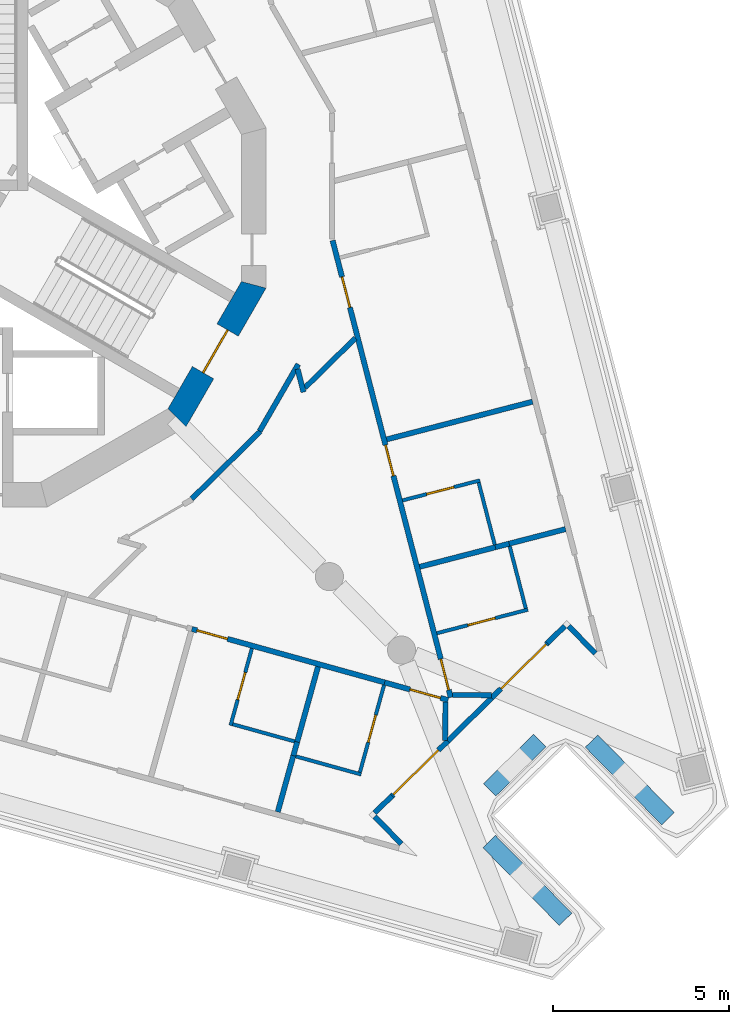
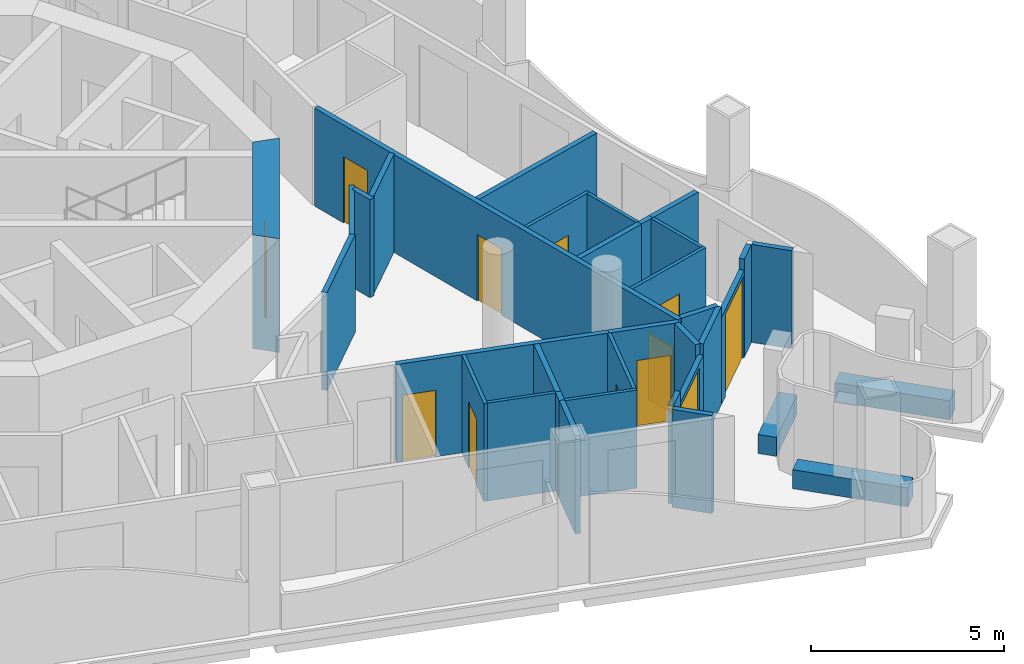
# One storey, part 6 of 15: 35 walls, 12 doors, 12 openings.
"""IFC4 building model written with IfcOpenShell, lengths in metres."""

from ifc_helpers import new_model, si_unit, direction, frame, frame_2d, origin, place, context, subcontext, project, spatial, polyline, rectangle, outline, extrude, material, layer, layer_set, type_object, element, fill, save


model = new_model("IFC4")

# Units and contexts
model_context = context("Model", 3, precision=1e-05, world=origin(), true_north=direction((0.0, 1.0)))
body_context = subcontext(model_context, "Body", "Model", "MODEL_VIEW")
ifc_project = project(units=[si_unit("LENGTHUNIT", "METRE"), si_unit("AREAUNIT", "SQUARE_METRE"), si_unit("VOLUMEUNIT", "CUBIC_METRE"), si_unit("PLANEANGLEUNIT", "RADIAN"), si_unit("MASSUNIT", "GRAM", prefix="KILO")], contexts=[model_context])

# Site, building, storey
site_placement = place(None, origin())
site = spatial("IfcSite", under=ifc_project, at=site_placement, CompositionType="ELEMENT")
building_placement = place(site_placement, origin())
building = spatial("IfcBuilding", under=site, at=building_placement, Name="Trine Commons Tower", CompositionType="ELEMENT")
storey_placement = place(building_placement, frame((0.0, 0.0, 263.699951171875)))
storey = spatial("IfcBuildingStorey", under=building, at=storey_placement, Name="L69", CompositionType="ELEMENT", Elevation=263.699951171875)

# Walls
ifc_material_1 = material(Name="Aluminium-framed insulated wall panel", Category="aluminium")
ifc_layer_1 = layer(ifc_material_1, 0.14990234375)
ifc_layer_set_1 = layer_set([ifc_layer_1], Name="Aluminium-framed insulated wall panel")
wall_type_1 = type_object("IfcWallType", Name="Glazed frame wall 150, EI 60", PredefinedType="SOLIDWALL", material=ifc_layer_set_1)
wall_1_placement = place(storey_placement, frame((97.966796875, 49.731201171875, 0.0), z_axis=(0.0, 0.0, 1.0), x_axis=(-0.700999978355, 0.71316129336, 0.0)))
element("IfcWall", 1, at=wall_1_placement, inside=storey, type_object=wall_type_1, Name="Glazed frame wall R6", PredefinedType="SOLIDWALL", context=body_context, shape_type="SweptSolid", body=[
    extrude(outline(polyline([(0.1494140625, 0.074951171875), (0.1494140625, -0.074951171875), (1.235107421875, -0.074951171875), (1.235107421875, 0.074951171875), (0.1494140625, 0.074951171875)])), origin(), (0.0, 0.0, 1.0), 3.10009765625),
])
wall_2_placement = place(storey_placement, frame((97.073486328125, 50.690185546875, 0.0), z_axis=(0.0, 0.0, 1.0), x_axis=(-0.713183853176, -0.700977026421, 0.0)))
element("IfcWall", 2, at=wall_2_placement, inside=storey, type_object=wall_type_1, Name="Glazed frame wall P2.1", PredefinedType="SOLIDWALL", context=body_context, shape_type="SweptSolid", body=[
    extrude(outline(polyline([(0.110107421875, -0.074951171875), (0.800048828125, -0.074951171875), (0.800048828125, 0.074951171875), (0.110107421875, 0.074951171875), (0.110107421875, -0.074951171875)])), origin(), (0.0, 0.0, 1.0), 3.10009765625),
])

# Wall, opening, door
wall_3_placement = place(storey_placement, frame((96.5029296875, 50.12939453125, 0.0), z_axis=(0.0, 0.0, 1.0), x_axis=(-0.713289197044, -0.70086983198, 0.0)))
wall_3 = element("IfcWall", 3, at=wall_3_placement, inside=storey, type_object=wall_type_1, Name="Glazed frame wall P2.2", PredefinedType="SOLIDWALL", context=body_context, shape_type="SweptSolid", body=[
    extrude(outline(polyline([(0.0, -0.074951171875), (2.221435546875, -0.074951171875), (2.221435546875, 0.074951171875), (0.0, 0.074951171875), (0.0, -0.074951171875)])), origin(), (0.0, 0.0, 1.0), 2.75),
])
opening_1_placement = place(wall_3_placement, frame((0.050048828125, 0.0, 0.0)))
opening_1 = element("IfcOpeningElement", 4, at=opening_1_placement, cuts=wall_3, Name="Opening BD-7P2-01", PredefinedType="OPENING", context=body_context, shape_type="SweptSolid", body=[
    extrude(rectangle(XDim=1.800048828125, YDim=2.60009765625, at=frame_2d((0.89990234375, 1.300048828125))), frame((0.0, 0.0849609375, 0.0), z_axis=(0.0, -1.0, 0.0), x_axis=(1.0, 0.0, 0.0)), (0.0, 0.0, 1.0), 0.169921875),
])
ifc_material_2 = material(Name="Anodised aluminium frame with double glazing", Category="aluminium")
door_type_1 = type_object("IfcDoorType", Name="Sliding loggia door 1800x2600", OperationType="SLIDING_TO_LEFT", PredefinedType="DOOR", material=ifc_material_2)
door_1_placement = place(opening_1_placement, origin())
door_1 = element("IfcDoor", 5, at=door_1_placement, inside=storey, type_object=door_type_1, Name="Loggia door P2 1", OperationType="SLIDING_TO_LEFT", OverallHeight=2.60009765625, OverallWidth=1.800048828125, PredefinedType="DOOR", context=body_context, shape_type="SweptSolid", body=[
    extrude(rectangle(XDim=1.800048828125, YDim=2.60009765625, at=frame_2d((0.89990234375, 1.300048828125))), frame((0.0, 0.02490234375, 0.0), z_axis=(0.0, -1.0, 0.0), x_axis=(1.0, 0.0, 0.0)), (0.0, 0.0, 1.0), 0.050048828125),
])
fill(opening_1, door_1)

# Wall
wall_4_placement = place(storey_placement, frame((94.91845703125, 48.572509765625, 0.0), z_axis=(0.0, 0.0, 1.0), x_axis=(-0.713193839807, -0.700966865737, 0.0)))
element("IfcWall", 6, at=wall_4_placement, inside=storey, type_object=wall_type_1, Name="Glazed frame wall P2.3", PredefinedType="SOLIDWALL", context=body_context, shape_type="SweptSolid", body=[
    extrude(outline(polyline([(0.0, -0.074951171875), (1.757080078125, -0.074951171875), (1.757080078125, 0.074951171875), (0.0, 0.074951171875), (0.0, -0.074951171875)])), origin(), (0.0, 0.0, 1.0), 3.10009765625),
])

# Wall, opening, door
wall_5_placement = place(storey_placement, frame((93.665283203125, 47.3408203125, 0.0), z_axis=(0.0, 0.0, 1.0), x_axis=(-0.713234254618, -0.700925743599, 0.0)))
wall_5 = element("IfcWall", 7, at=wall_5_placement, inside=storey, type_object=wall_type_1, Name="Glazed frame wall P2.4", PredefinedType="SOLIDWALL", context=body_context, shape_type="SweptSolid", body=[
    extrude(outline(polyline([(0.0, -0.074951171875), (2.221435546875, -0.074951171875), (2.221435546875, 0.074951171875), (0.0, 0.074951171875), (0.0, -0.074951171875)])), origin(), (0.0, 0.0, 1.0), 2.75),
])
opening_2_placement = place(wall_5_placement, frame((0.37158203125, 0.0, 0.0)))
opening_2 = element("IfcOpeningElement", 8, at=opening_2_placement, cuts=wall_5, Name="Opening BD-7P2-02", PredefinedType="OPENING", context=body_context, shape_type="SweptSolid", body=[
    extrude(rectangle(XDim=1.800048828125, YDim=2.60009765625, at=frame_2d((0.89990234375, 1.300048828125))), frame((0.0, 0.0849609375, 0.0), z_axis=(0.0, -1.0, 0.0), x_axis=(1.0, 0.0, 0.0)), (0.0, 0.0, 1.0), 0.169921875),
])
door_2_placement = place(opening_2_placement, origin())
door_2 = element("IfcDoor", 9, at=door_2_placement, inside=storey, type_object=door_type_1, Name="Loggia door P2 2", OperationType="SLIDING_TO_LEFT", OverallHeight=2.60009765625, OverallWidth=1.800048828125, PredefinedType="DOOR", context=body_context, shape_type="SweptSolid", body=[
    extrude(rectangle(XDim=1.800048828125, YDim=2.60009765625, at=frame_2d((0.89990234375, 1.300048828125))), frame((0.0, 0.02490234375, 0.0), z_axis=(0.0, -1.0, 0.0), x_axis=(1.0, 0.0, 0.0)), (0.0, 0.0, 1.0), 0.050048828125),
])
fill(opening_2, door_2)

# Walls
wall_6_placement = place(storey_placement, frame((92.080810546875, 45.78369140625, 0.0), z_axis=(0.0, 0.0, 1.0), x_axis=(-0.713333755576, -0.700824480991, 0.0)))
element("IfcWall", 10, at=wall_6_placement, inside=storey, type_object=wall_type_1, Name="Glazed frame wall P2.5", PredefinedType="SOLIDWALL", context=body_context, shape_type="SweptSolid", body=[
    extrude(outline(polyline([(0.68994140625, 0.074951171875), (0.0, 0.074951171875), (0.0, -0.074951171875), (0.68994140625, -0.074951171875), (0.68994140625, 0.074951171875)])), origin(), (0.0, 0.0, 1.0), 3.10009765625),
])
wall_7_placement = place(storey_placement, frame((91.510498046875, 45.2724609375, 0.0), z_axis=(0.0, 0.0, 1.0), x_axis=(0.700999978355, -0.71316129336, 0.0)))
element("IfcWall", 11, at=wall_7_placement, inside=storey, type_object=wall_type_1, Name="Glazed frame wall R8", PredefinedType="SOLIDWALL", context=body_context, shape_type="SweptSolid", body=[
    extrude(outline(polyline([(0.110107421875, 0.074951171875), (0.110107421875, -0.074951171875), (1.19580078125, -0.074951171875), (1.19580078125, 0.074951171875), (0.110107421875, 0.074951171875)])), origin(), (0.0, 0.0, 1.0), 3.10009765625),
])
ifc_material_3 = material(Name="Planter trough, precast concrete C40/50", Category="concrete")
ifc_layer_2 = layer(ifc_material_3, 0.5)
ifc_layer_set_2 = layer_set([ifc_layer_2], Name="Planter trough, precast concrete C40/50")
wall_type_2 = type_object("IfcWallType", Name="Planter trough 500x600", PredefinedType="PARAPET", material=ifc_layer_set_2)
wall_8_placement = place(storey_placement, frame((99.927734375, 45.1318359375, 0.0), z_axis=(0.0, 0.0, 1.0), x_axis=(-0.700897681372, 0.713261831481, 0.0)))
element("IfcWall", 12, at=wall_8_placement, inside=storey, type_object=wall_type_2, Name="Planter 7", PredefinedType="PARAPET", context=body_context, shape_type="SweptSolid", body=[
    extrude(rectangle(XDim=3.10009765625, YDim=0.5, at=frame_2d((1.550048828125, 0.0))), origin(), (0.0, 0.0, 1.0), 0.60009765625),
])
wall_9_placement = place(storey_placement, frame((96.2841796875, 47.355712890625, 0.0), z_axis=(0.0, 0.0, 1.0), x_axis=(-0.713305380591, -0.700853361282, 0.0)))
element("IfcWall", 13, at=wall_9_placement, inside=storey, type_object=wall_type_2, Name="Planter 8", PredefinedType="PARAPET", context=body_context, shape_type="SweptSolid", body=[
    extrude(rectangle(XDim=1.999755859375, YDim=0.5, at=frame_2d((1.0, 0.0))), origin(), (0.0, 0.0, 1.0), 0.60009765625),
])
wall_10_placement = place(storey_placement, frame((94.844970703125, 44.4833984375, 0.0), z_axis=(0.0, 0.0, 1.0), x_axis=(0.700857613291, -0.713301202784, 0.0)))
element("IfcWall", 14, at=wall_10_placement, inside=storey, type_object=wall_type_2, Name="Planter 9", PredefinedType="PARAPET", context=body_context, shape_type="SweptSolid", body=[
    extrude(rectangle(XDim=3.099853515625, YDim=0.5, at=frame_2d((1.5498046875, 0.0))), origin(), (0.0, 0.0, 1.0), 0.60009765625),
])

# Wall, opening, door
ifc_material_4 = material(Name="Concrete C50/60", Category="concrete")
ifc_layer_3 = layer(ifc_material_4, 0.699951171875)
ifc_layer_set_3 = layer_set([ifc_layer_3], Name="Concrete C50/60")
wall_type_3 = type_object("IfcWallType", Name="RC shear wall 700 mm, C50/60", PredefinedType="SHEAR", material=ifc_layer_set_3)
wall_11_placement = place(storey_placement, frame((85.91943359375, 56.452392578125, 0.0), z_axis=(0.0, 0.0, 1.0), x_axis=(0.499983800959, 0.866034756103, 0.0)))
wall_11 = element("IfcWall", 15, at=wall_11_placement, inside=storey, type_object=wall_type_3, Name="Core wall CWG-12 L69", PredefinedType="SHEAR", context=body_context, shape_type="SweptSolid", body=[
    extrude(outline(polyline([(0.0, -0.35009765625), (4.55517578125, -0.35009765625), (4.36767578125, 0.35009765625), (0.1875, 0.35009765625), (0.0, -0.35009765625)])), origin(), (0.0, 0.0, 1.0), 3.60009765625),
])
opening_3_placement = place(wall_11_placement, frame((1.577392578125, 0.0, 0.0)))
opening_3 = element("IfcOpeningElement", 16, at=opening_3_placement, cuts=wall_11, Name="Opening K15.03", PredefinedType="OPENING", context=body_context, shape_type="SweptSolid", body=[
    extrude(rectangle(XDim=1.39990234375, YDim=2.10009765625, at=frame_2d((0.699951171875, 1.050048828125))), frame((0.0, 0.35986328125, 0.0), z_axis=(0.0, -1.0, 0.0), x_axis=(1.0, 0.0, 0.0)), (0.0, 0.0, 1.0), 0.719970703125),
])
ifc_material_5 = material(Name="Steel door leaves, fire-rated", Category="steel")
door_type_2 = type_object("IfcDoorType", Name="Stair door, double leaf 1400 x 2100, FD90", OperationType="DOUBLE_DOOR_SINGLE_SWING", PredefinedType="DOOR", material=ifc_material_5)
door_3_placement = place(opening_3_placement, origin())
door_3 = element("IfcDoor", 17, at=door_3_placement, inside=storey, type_object=door_type_2, Name="Stair door to Exit stair ST3C L69", OperationType="DOUBLE_DOOR_SINGLE_SWING", OverallHeight=2.10009765625, OverallWidth=1.39990234375, PredefinedType="DOOR", context=body_context, shape_type="SweptSolid", body=[
    extrude(rectangle(XDim=1.39990234375, YDim=2.10009765625, at=frame_2d((0.699951171875, 1.050048828125))), frame((0.0, 0.02490234375, 0.0), z_axis=(0.0, -1.0, 0.0), x_axis=(1.0, 0.0, 0.0)), (0.0, 0.0, 1.0), 0.050048828125),
])
fill(opening_3, door_3)

# Wall
ifc_material_6 = material(Name="Gypsum plasterboard on steel stud", Category="steel")
ifc_layer_4 = layer(ifc_material_6, 0.14990234375)
ifc_layer_set_4 = layer_set([ifc_layer_4], Name="Gypsum plasterboard on steel stud")
wall_type_4 = type_object("IfcWallType", Name="Unit and corridor wall 150 mm, EI 60", PredefinedType="PARTITIONING", material=ifc_layer_set_4)
wall_12_placement = place(storey_placement, frame((86.384521484375, 54.2275390625, 0.0), z_axis=(0.0, 0.0, 1.0), x_axis=(0.713113779806, 0.701048312922, 0.0)))
element("IfcWall", 18, at=wall_12_placement, inside=storey, type_object=wall_type_4, Name="Partition 083", PredefinedType="PARTITIONING", context=body_context, shape_type="SweptSolid", body=[
    extrude(rectangle(XDim=2.731689453125, YDim=0.14990234375, at=frame_2d((1.36572265625, 0.0))), origin(), (0.0, 0.0, 1.0), 3.10009765625),
])

# Wall, opening, door
wall_13_placement = place(storey_placement, frame((86.39111328125, 50.529052734375, 0.0), z_axis=(0.0, 0.0, 1.0), x_axis=(0.963638337946, -0.267209943005, 0.0)))
wall_13 = element("IfcWall", 19, at=wall_13_placement, inside=storey, type_object=wall_type_4, Name="Partition 084", PredefinedType="PARTITIONING", context=body_context, shape_type="SweptSolid", body=[
    extrude(rectangle(XDim=5.74609375, YDim=0.14990234375, at=frame_2d((2.873046875, 0.0))), origin(), (0.0, 0.0, 1.0), 3.10009765625),
])
opening_4_placement = place(wall_13_placement, frame((0.14990234375, 0.0, 0.0)))
opening_4 = element("IfcOpeningElement", 20, at=opening_4_placement, cuts=wall_13, Name="Opening D-7C19", PredefinedType="OPENING", context=body_context, shape_type="SweptSolid", body=[
    extrude(rectangle(XDim=0.89990234375, YDim=2.10009765625, at=frame_2d((0.449951171875, 1.050048828125))), frame((0.0, 0.0849609375, 0.0), z_axis=(0.0, -1.0, 0.0), x_axis=(1.0, 0.0, 0.0)), (0.0, 0.0, 1.0), 0.169921875),
])
ifc_material_7 = material(Name="Timber fire door set", Category="wood")
door_type_3 = type_object("IfcDoorType", Name="Bedroom door 900 x 2100, FD30S", OperationType="NOTDEFINED", PredefinedType="DOOR", material=ifc_material_7)
door_4_placement = place(opening_4_placement, frame((0.89990234375, 0.0, 0.0), z_axis=(0.0, 0.0, 1.0), x_axis=(-1.0, 0.0, 0.0)))
door_4 = element("IfcDoor", 21, at=door_4_placement, inside=storey, type_object=door_type_3, Name="Door D-7C19", OperationType="SINGLE_SWING_RIGHT", OverallHeight=2.10009765625, OverallWidth=0.89990234375, PredefinedType="DOOR", context=body_context, shape_type="SweptSolid", body=[
    extrude(rectangle(XDim=0.89990234375, YDim=2.10009765625, at=frame_2d((0.449951171875, 1.050048828125))), frame((0.0, 0.02490234375, 0.0), z_axis=(0.0, -1.0, 0.0), x_axis=(1.0, 0.0, 0.0)), (0.0, 0.0, 1.0), 0.050048828125),
])
fill(opening_4, door_4)

# Walls
wall_14_placement = place(storey_placement, frame((88.31640625, 56.15478515625, 0.0), z_axis=(0.0, 0.0, 1.0), x_axis=(0.500129524705, 0.865950609745, 0.0)))
element("IfcWall", 22, at=wall_14_placement, inside=storey, type_object=wall_type_4, Name="Partition 093", PredefinedType="PARTITIONING", context=body_context, shape_type="SweptSolid", body=[
    extrude(rectangle(XDim=2.19775390625, YDim=0.14990234375, at=frame_2d((1.098876953125, 0.0))), origin(), (0.0, 0.0, 1.0), 3.10009765625),
])
wall_15_placement = place(storey_placement, frame((88.832763671875, 45.327392578125, 0.0), z_axis=(0.0, 0.0, 1.0), x_axis=(0.266961047932, 0.963707320138, 0.0)))
element("IfcWall", 23, at=wall_15_placement, inside=storey, type_object=wall_type_4, Name="Partition 097", PredefinedType="PARTITIONING", context=body_context, shape_type="SweptSolid", body=[
    extrude(rectangle(XDim=1.659912109375, YDim=0.14990234375, at=frame_2d((0.830078125, 0.0))), origin(), (0.0, 0.0, 1.0), 3.10009765625),
])
wall_16_placement = place(storey_placement, frame((89.27587890625, 46.927001953125, 0.0), z_axis=(0.0, 0.0, 1.0), x_axis=(0.267924588636, 0.963439886451, 0.0)))
element("IfcWall", 24, at=wall_16_placement, inside=storey, type_object=wall_type_4, Name="Partition 099", PredefinedType="PARTITIONING", context=body_context, shape_type="SweptSolid", body=[
    extrude(rectangle(XDim=0.403564453125, YDim=0.14990234375, at=frame_2d((0.20166015625, 0.0))), origin(), (0.0, 0.0, 1.0), 3.10009765625),
])
wall_17_placement = place(storey_placement, frame((89.396728515625, 57.92041015625, 0.0), z_axis=(0.0, 0.0, 1.0), x_axis=(0.249398389606, -0.968400972357, 0.0)))
element("IfcWall", 25, at=wall_17_placement, inside=storey, type_object=wall_type_4, Name="Partition 101", PredefinedType="PARTITIONING", context=body_context, shape_type="SweptSolid", body=[
    extrude(rectangle(XDim=0.677490234375, YDim=0.14990234375, at=frame_2d((0.3388671875, 0.0))), origin(), (0.0, 0.0, 1.0), 3.10009765625),
])
wall_18_placement = place(storey_placement, frame((89.36865234375, 47.259765625, 0.0), z_axis=(0.0, 0.0, 1.0), x_axis=(0.266876022504, 0.963730869388, 0.0)))
element("IfcWall", 26, at=wall_18_placement, inside=storey, type_object=wall_type_4, Name="Partition 102", PredefinedType="PARTITIONING", context=body_context, shape_type="SweptSolid", body=[
    extrude(rectangle(XDim=2.27978515625, YDim=0.14990234375, at=frame_2d((1.139892578125, 0.0))), origin(), (0.0, 0.0, 1.0), 3.10009765625),
])
wall_19_placement = place(storey_placement, frame((89.60546875, 57.3896484375, 0.0), z_axis=(0.0, 0.0, 1.0), x_axis=(0.713082264155, 0.701080369535, 0.0)))
element("IfcWall", 27, at=wall_19_placement, inside=storey, type_object=wall_type_4, Name="Partition 106", PredefinedType="PARTITIONING", context=body_context, shape_type="SweptSolid", body=[
    extrude(rectangle(XDim=2.013916015625, YDim=0.14990234375, at=frame_2d((1.0068359375, 0.0))), origin(), (0.0, 0.0, 1.0), 3.10009765625),
])

# Wall, openings, doors
wall_20_placement = place(storey_placement, frame((90.39208984375, 61.576904296875, 0.0), z_axis=(0.0, 0.0, 1.0), x_axis=(0.250222915492, -0.968188252646, 0.0)))
wall_20 = element("IfcWall", 28, at=wall_20_placement, inside=storey, type_object=wall_type_4, Name="Partition 109", PredefinedType="PARTITIONING", context=body_context, shape_type="SweptSolid", body=[
    extrude(rectangle(XDim=13.422607421875, YDim=0.14990234375, at=frame_2d((6.71142578125, 0.0))), origin(), (0.0, 0.0, 1.0), 3.10009765625),
])
opening_5_placement = place(wall_20_placement, frame((1.06884765625, 0.0, 0.0)))
opening_5 = element("IfcOpeningElement", 29, at=opening_5_placement, cuts=wall_20, Name="Opening D-7C15", PredefinedType="OPENING", context=body_context, shape_type="SweptSolid", body=[
    extrude(rectangle(XDim=0.89990234375, YDim=2.10009765625, at=frame_2d((0.449951171875, 1.050048828125))), frame((0.0, 0.0849609375, 0.0), z_axis=(0.0, -1.0, 0.0), x_axis=(1.0, 0.0, 0.0)), (0.0, 0.0, 1.0), 0.169921875),
])
opening_6_placement = place(wall_20_placement, frame((6.011962890625, 0.0, 0.0)))
opening_6 = element("IfcOpeningElement", 30, at=opening_6_placement, cuts=wall_20, Name="Opening D-7C16", PredefinedType="OPENING", context=body_context, shape_type="SweptSolid", body=[
    extrude(rectangle(XDim=0.89990234375, YDim=2.10009765625, at=frame_2d((0.449951171875, 1.050048828125))), frame((0.0, 0.0849609375, 0.0), z_axis=(0.0, -1.0, 0.0), x_axis=(1.0, 0.0, 0.0)), (0.0, 0.0, 1.0), 0.169921875),
])
opening_7_placement = place(wall_20_placement, frame((12.297607421875, 0.0, 0.0)))
opening_7 = element("IfcOpeningElement", 31, at=opening_7_placement, cuts=wall_20, Name="Opening D-7C17", PredefinedType="OPENING", context=body_context, shape_type="SweptSolid", body=[
    extrude(rectangle(XDim=0.89990234375, YDim=2.10009765625, at=frame_2d((0.449951171875, 1.050048828125))), frame((0.0, 0.0849609375, 0.0), z_axis=(0.0, -1.0, 0.0), x_axis=(1.0, 0.0, 0.0)), (0.0, 0.0, 1.0), 0.169921875),
])
door_5_placement = place(opening_5_placement, origin())
door_5 = element("IfcDoor", 32, at=door_5_placement, inside=storey, type_object=door_type_3, Name="Door D-7C15", OperationType="SINGLE_SWING_LEFT", OverallHeight=2.10009765625, OverallWidth=0.89990234375, PredefinedType="DOOR", context=body_context, shape_type="SweptSolid", body=[
    extrude(rectangle(XDim=0.89990234375, YDim=2.10009765625, at=frame_2d((0.449951171875, 1.050048828125))), frame((0.0, 0.02490234375, 0.0), z_axis=(0.0, -1.0, 0.0), x_axis=(1.0, 0.0, 0.0)), (0.0, 0.0, 1.0), 0.050048828125),
])
fill(opening_5, door_5)
door_6_placement = place(opening_6_placement, origin())
door_6 = element("IfcDoor", 33, at=door_6_placement, inside=storey, type_object=door_type_3, Name="Door D-7C16", OperationType="SINGLE_SWING_LEFT", OverallHeight=2.10009765625, OverallWidth=0.89990234375, PredefinedType="DOOR", context=body_context, shape_type="SweptSolid", body=[
    extrude(rectangle(XDim=0.89990234375, YDim=2.10009765625, at=frame_2d((0.449951171875, 1.050048828125))), frame((0.0, 0.02490234375, 0.0), z_axis=(0.0, -1.0, 0.0), x_axis=(1.0, 0.0, 0.0)), (0.0, 0.0, 1.0), 0.050048828125),
])
fill(opening_6, door_6)
door_7_placement = place(opening_7_placement, origin())
door_7 = element("IfcDoor", 34, at=door_7_placement, inside=storey, type_object=door_type_3, Name="Door D-7C17", OperationType="SINGLE_SWING_RIGHT", OverallHeight=2.10009765625, OverallWidth=0.89990234375, PredefinedType="DOOR", context=body_context, shape_type="SweptSolid", body=[
    extrude(rectangle(XDim=0.89990234375, YDim=2.10009765625, at=frame_2d((0.449951171875, 1.050048828125))), frame((0.0, 0.02490234375, 0.0), z_axis=(0.0, -1.0, 0.0), x_axis=(1.0, 0.0, 0.0)), (0.0, 0.0, 1.0), 0.050048828125),
])
fill(opening_7, door_7)

# Wall
wall_21_placement = place(storey_placement, frame((91.9296875, 55.919921875, 0.0), z_axis=(0.0, 0.0, 1.0), x_axis=(0.968143339783, 0.250396632634, 0.0)))
element("IfcWall", 35, at=wall_21_placement, inside=storey, type_object=wall_type_4, Name="Partition 114", PredefinedType="PARTITIONING", context=body_context, shape_type="SweptSolid", body=[
    extrude(rectangle(XDim=4.28515625, YDim=0.14990234375, at=frame_2d((2.142578125, 0.0))), origin(), (0.0, 0.0, 1.0), 3.10009765625),
])

# Wall, opening, door
wall_22_placement = place(storey_placement, frame((91.8720703125, 49.009033203125, 0.0), z_axis=(0.0, 0.0, 1.0), x_axis=(0.963678404511, -0.26706540899, 0.0)))
wall_22 = element("IfcWall", 36, at=wall_22_placement, inside=storey, type_object=wall_type_4, Name="Partition 115", PredefinedType="PARTITIONING", context=body_context, shape_type="SweptSolid", body=[
    extrude(rectangle(XDim=1.872314453125, YDim=0.14990234375, at=frame_2d((0.93603515625, 0.0))), origin(), (0.0, 0.0, 1.0), 3.10009765625),
])
opening_8_placement = place(wall_22_placement, frame((0.747314453125, 0.0, 0.0)))
opening_8 = element("IfcOpeningElement", 37, at=opening_8_placement, cuts=wall_22, Name="Opening D-7C18", PredefinedType="OPENING", context=body_context, shape_type="SweptSolid", body=[
    extrude(rectangle(XDim=0.89990234375, YDim=2.10009765625, at=frame_2d((0.449951171875, 1.050048828125))), frame((0.0, 0.0849609375, 0.0), z_axis=(0.0, -1.0, 0.0), x_axis=(1.0, 0.0, 0.0)), (0.0, 0.0, 1.0), 0.169921875),
])
door_8_placement = place(opening_8_placement, frame((0.89990234375, 0.0, 0.0), z_axis=(0.0, 0.0, 1.0), x_axis=(-1.0, 0.0, 0.0)))
door_8 = element("IfcDoor", 38, at=door_8_placement, inside=storey, type_object=door_type_3, Name="Door D-7C18", OperationType="SINGLE_SWING_LEFT", OverallHeight=2.10009765625, OverallWidth=0.89990234375, PredefinedType="DOOR", context=body_context, shape_type="SweptSolid", body=[
    extrude(rectangle(XDim=0.89990234375, YDim=2.10009765625, at=frame_2d((0.449951171875, 1.050048828125))), frame((0.0, 0.02490234375, 0.0), z_axis=(0.0, -1.0, 0.0), x_axis=(1.0, 0.0, 0.0)), (0.0, 0.0, 1.0), 0.050048828125),
])
fill(opening_8, door_8)

# Walls
wall_23_placement = place(storey_placement, frame((92.86767578125, 52.296875, 0.0), z_axis=(0.0, 0.0, 1.0), x_axis=(0.968121216345, 0.250482155975, 0.0)))
element("IfcWall", 39, at=wall_23_placement, inside=storey, type_object=wall_type_4, Name="Partition 119", PredefinedType="PARTITIONING", context=body_context, shape_type="SweptSolid", body=[
    extrude(rectangle(XDim=2.22412109375, YDim=0.14990234375, at=frame_2d((1.112060546875, 0.0))), origin(), (0.0, 0.0, 1.0), 3.10009765625),
])
for number, where, z_axis, x_axis, name in (
    (40, (93.589599609375, 47.35595703125, 0.0), (0.0, 0.0, 1.0), (0.012226742726, 0.999925250587, 0.0), "Partition 121"),
    (41, (93.806884765625, 48.653564453125, 0.0), (0.0, 0.0, 1.0), (0.999983294214, -0.005780250256, 0.0), "Partition 122"),
):
    element("IfcWall", number, at=place(storey_placement, frame(where, z_axis=z_axis, x_axis=x_axis)), inside=storey, type_object=wall_type_4, Name=name, PredefinedType="PARTITIONING", context=body_context, shape_type="SweptSolid", body=[
        extrude(rectangle(XDim=1.09814453125, YDim=0.14990234375, at=frame_2d((0.549072265625, 0.0))), origin(), (0.0, 0.0, 1.0), 3.10009765625),
    ])
wall_24_placement = place(storey_placement, frame((95.02099609375, 52.85400390625, 0.0), z_axis=(0.0, 0.0, 1.0), x_axis=(0.968343173742, 0.249622711039, 0.0)))
element("IfcWall", 42, at=wall_24_placement, inside=storey, type_object=wall_type_4, Name="Partition 124", PredefinedType="PARTITIONING", context=body_context, shape_type="SweptSolid", body=[
    extrude(rectangle(XDim=0.405029296875, YDim=0.14990234375, at=frame_2d((0.20263671875, 0.0))), origin(), (0.0, 0.0, 1.0), 3.10009765625),
])
wall_25_placement = place(storey_placement, frame((95.405029296875, 52.952880859375, 0.0), z_axis=(0.0, 0.0, 1.0), x_axis=(0.968213134731, 0.250126619403, 0.0)))
element("IfcWall", 43, at=wall_25_placement, inside=storey, type_object=wall_type_4, Name="Partition 125", PredefinedType="PARTITIONING", context=body_context, shape_type="SweptSolid", body=[
    extrude(rectangle(XDim=1.663330078125, YDim=0.14990234375, at=frame_2d((0.83154296875, 0.0))), origin(), (0.0, 0.0, 1.0), 3.10009765625),
])

# Wall, opening, door
ifc_layer_5 = layer(ifc_material_6, 0.10009765625)
ifc_layer_set_5 = layer_set([ifc_layer_5], Name="Gypsum plasterboard on steel stud")
wall_type_5 = type_object("IfcWallType", Name="Unit partition 100 mm, no rating", PredefinedType="PARTITIONING", material=ifc_layer_set_5)
wall_26_placement = place(storey_placement, frame((87.490478515625, 47.785888671875, 0.0), z_axis=(0.0, 0.0, 1.0), x_axis=(0.267056991967, 0.963680737092, 0.0)))
wall_26 = element("IfcWall", 44, at=wall_26_placement, inside=storey, type_object=wall_type_5, Name="Partition 087", PredefinedType="PARTITIONING", context=body_context, shape_type="SweptSolid", body=[
    extrude(rectangle(XDim=2.2744140625, YDim=0.10009765625, at=frame_2d((1.13720703125, 0.0))), origin(), (0.0, 0.0, 1.0), 3.10009765625),
])
opening_9_placement = place(wall_26_placement, frame((0.76220703125, 0.0, 0.0)))
opening_9 = element("IfcOpeningElement", 45, at=opening_9_placement, cuts=wall_26, Name="Opening D-7C40", PredefinedType="OPENING", context=body_context, shape_type="SweptSolid", body=[
    extrude(rectangle(XDim=0.800048828125, YDim=2.10009765625, at=frame_2d((0.39990234375, 1.050048828125))), frame((0.0, 0.06005859375, 0.0), z_axis=(0.0, -1.0, 0.0), x_axis=(1.0, 0.0, 0.0)), (0.0, 0.0, 1.0), 0.1201171875),
])
ifc_material_8 = material(Name="Painted timber", Category="wood")
door_type_4 = type_object("IfcDoorType", Name="Internal door 800 x 2100, NOT RATED", OperationType="NOTDEFINED", PredefinedType="DOOR", material=ifc_material_8)
door_9_placement = place(opening_9_placement, origin())
door_9 = element("IfcDoor", 46, at=door_9_placement, inside=storey, type_object=door_type_4, Name="Door D-7C40", OperationType="SINGLE_SWING_RIGHT", OverallHeight=2.10009765625, OverallWidth=0.800048828125, PredefinedType="DOOR", context=body_context, shape_type="SweptSolid", body=[
    extrude(rectangle(XDim=0.800048828125, YDim=2.10009765625, at=frame_2d((0.39990234375, 1.050048828125))), frame((0.0, 0.02490234375, 0.0), z_axis=(0.0, -1.0, 0.0), x_axis=(1.0, 0.0, 0.0)), (0.0, 0.0, 1.0), 0.050048828125),
])
fill(opening_9, door_9)

# Walls
wall_27_placement = place(storey_placement, frame((87.55224609375, 47.820556640625, 0.0), z_axis=(0.0, 0.0, 1.0), x_axis=(0.963512160179, -0.267664560949, 0.0)))
element("IfcWall", 47, at=wall_27_placement, inside=storey, type_object=wall_type_5, Name="Partition 088", PredefinedType="PARTITIONING", context=body_context, shape_type="SweptSolid", body=[
    extrude(rectangle(XDim=1.8251953125, YDim=0.10009765625, at=frame_2d((0.91259765625, 0.0))), origin(), (0.0, 0.0, 1.0), 3.10009765625),
])
wall_28_placement = place(storey_placement, frame((89.348388671875, 46.906982421875, 0.0), z_axis=(0.0, 0.0, 1.0), x_axis=(0.963625049046, -0.267257862095, 0.0)))
element("IfcWall", 48, at=wall_28_placement, inside=storey, type_object=wall_type_5, Name="Partition 100", PredefinedType="PARTITIONING", context=body_context, shape_type="SweptSolid", body=[
    extrude(rectangle(XDim=1.9248046875, YDim=0.10009765625, at=frame_2d((0.96240234375, 0.0))), origin(), (0.0, 0.0, 1.0), 3.10009765625),
])

# Wall, opening, door
wall_29_placement = place(storey_placement, frame((91.16845703125, 46.4541015625, 0.0), z_axis=(0.0, 0.0, 1.0), x_axis=(0.266973908606, 0.96370375745, 0.0)))
wall_29 = element("IfcWall", 49, at=wall_29_placement, inside=storey, type_object=wall_type_5, Name="Partition 112", PredefinedType="PARTITIONING", context=body_context, shape_type="SweptSolid", body=[
    extrude(rectangle(XDim=2.5751953125, YDim=0.10009765625, at=frame_2d((1.28759765625, 0.0))), origin(), (0.0, 0.0, 1.0), 3.10009765625),
])
opening_10_placement = place(wall_29_placement, frame((0.8876953125, 0.0, 0.0)))
opening_10 = element("IfcOpeningElement", 50, at=opening_10_placement, cuts=wall_29, Name="Opening D-7C39", PredefinedType="OPENING", context=body_context, shape_type="SweptSolid", body=[
    extrude(rectangle(XDim=0.800048828125, YDim=2.10009765625, at=frame_2d((0.39990234375, 1.050048828125))), frame((0.0, 0.06005859375, 0.0), z_axis=(0.0, -1.0, 0.0), x_axis=(1.0, 0.0, 0.0)), (0.0, 0.0, 1.0), 0.1201171875),
])
door_10_placement = place(opening_10_placement, frame((0.800048828125, 0.0, 0.0), z_axis=(0.0, 0.0, 1.0), x_axis=(-1.0, 0.0, 0.0)))
door_10 = element("IfcDoor", 51, at=door_10_placement, inside=storey, type_object=door_type_4, Name="Door D-7C39", OperationType="SINGLE_SWING_LEFT", OverallHeight=2.10009765625, OverallWidth=0.800048828125, PredefinedType="DOOR", context=body_context, shape_type="SweptSolid", body=[
    extrude(rectangle(XDim=0.800048828125, YDim=2.10009765625, at=frame_2d((0.39990234375, 1.050048828125))), frame((0.0, 0.02490234375, 0.0), z_axis=(0.0, -1.0, 0.0), x_axis=(1.0, 0.0, 0.0)), (0.0, 0.0, 1.0), 0.050048828125),
])
fill(opening_10, door_10)

wall_30_placement = place(storey_placement, frame((92.378662109375, 54.184814453125, 0.0), z_axis=(0.0, 0.0, 1.0), x_axis=(0.968154087165, 0.250355074856, 0.0)))
wall_30 = element("IfcWall", 52, at=wall_30_placement, inside=storey, type_object=wall_type_5, Name="Partition 116", PredefinedType="PARTITIONING", context=body_context, shape_type="SweptSolid", body=[
    extrude(rectangle(XDim=2.275146484375, YDim=0.10009765625, at=frame_2d((1.1376953125, 0.0))), origin(), (0.0, 0.0, 1.0), 3.10009765625),
])
opening_11_placement = place(wall_30_placement, frame((0.712646484375, 0.0, 0.0)))
opening_11 = element("IfcOpeningElement", 53, at=opening_11_placement, cuts=wall_30, Name="Opening D-7C37", PredefinedType="OPENING", context=body_context, shape_type="SweptSolid", body=[
    extrude(rectangle(XDim=0.800048828125, YDim=2.10009765625, at=frame_2d((0.39990234375, 1.050048828125))), frame((0.0, 0.06005859375, 0.0), z_axis=(0.0, -1.0, 0.0), x_axis=(1.0, 0.0, 0.0)), (0.0, 0.0, 1.0), 0.1201171875),
])
door_11_placement = place(opening_11_placement, origin())
door_11 = element("IfcDoor", 54, at=door_11_placement, inside=storey, type_object=door_type_4, Name="Door D-7C37", OperationType="SINGLE_SWING_LEFT", OverallHeight=2.10009765625, OverallWidth=0.800048828125, PredefinedType="DOOR", context=body_context, shape_type="SweptSolid", body=[
    extrude(rectangle(XDim=0.800048828125, YDim=2.10009765625, at=frame_2d((0.39990234375, 1.050048828125))), frame((0.0, 0.02490234375, 0.0), z_axis=(0.0, -1.0, 0.0), x_axis=(1.0, 0.0, 0.0)), (0.0, 0.0, 1.0), 0.050048828125),
])
fill(opening_11, door_11)

wall_31_placement = place(storey_placement, frame((93.355712890625, 50.40869140625, 0.0), z_axis=(0.0, 0.0, 1.0), x_axis=(0.968128980119, 0.250452146832, 0.0)))
wall_31 = element("IfcWall", 55, at=wall_31_placement, inside=storey, type_object=wall_type_5, Name="Partition 120", PredefinedType="PARTITIONING", context=body_context, shape_type="SweptSolid", body=[
    extrude(rectangle(XDim=2.6748046875, YDim=0.10009765625, at=frame_2d((1.33740234375, 0.0))), origin(), (0.0, 0.0, 1.0), 3.10009765625),
])
opening_12_placement = place(wall_31_placement, frame((0.91259765625, 0.0, 0.0)))
opening_12 = element("IfcOpeningElement", 56, at=opening_12_placement, cuts=wall_31, Name="Opening D-7C38", PredefinedType="OPENING", context=body_context, shape_type="SweptSolid", body=[
    extrude(rectangle(XDim=0.800048828125, YDim=2.10009765625, at=frame_2d((0.39990234375, 1.050048828125))), frame((0.0, 0.06005859375, 0.0), z_axis=(0.0, -1.0, 0.0), x_axis=(1.0, 0.0, 0.0)), (0.0, 0.0, 1.0), 0.1201171875),
])
door_12_placement = place(opening_12_placement, frame((0.800048828125, 0.0, 0.0), z_axis=(0.0, 0.0, 1.0), x_axis=(-1.0, 0.0, 0.0)))
door_12 = element("IfcDoor", 57, at=door_12_placement, inside=storey, type_object=door_type_4, Name="Door D-7C38", OperationType="SINGLE_SWING_RIGHT", OverallHeight=2.10009765625, OverallWidth=0.800048828125, PredefinedType="DOOR", context=body_context, shape_type="SweptSolid", body=[
    extrude(rectangle(XDim=0.800048828125, YDim=2.10009765625, at=frame_2d((0.39990234375, 1.050048828125))), frame((0.0, 0.02490234375, 0.0), z_axis=(0.0, -1.0, 0.0), x_axis=(1.0, 0.0, 0.0)), (0.0, 0.0, 1.0), 0.050048828125),
])
fill(opening_12, door_12)

# Walls
wall_32_placement = place(storey_placement, frame((94.54541015625, 54.693603515625, 0.0), z_axis=(0.0, 0.0, 1.0), x_axis=(0.250270413218, -0.968175975878, 0.0)))
element("IfcWall", 58, at=wall_32_placement, inside=storey, type_object=wall_type_5, Name="Partition 123", PredefinedType="PARTITIONING", context=body_context, shape_type="SweptSolid", body=[
    extrude(rectangle(XDim=1.8251953125, YDim=0.10009765625, at=frame_2d((0.91259765625, 0.0))), origin(), (0.0, 0.0, 1.0), 3.10009765625),
])
wall_33_placement = place(storey_placement, frame((95.427734375, 52.88134765625, 0.0), z_axis=(0.0, 0.0, 1.0), x_axis=(0.250302828805, -0.968167595973, 0.0)))
element("IfcWall", 59, at=wall_33_placement, inside=storey, type_object=wall_type_5, Name="Partition 126", PredefinedType="PARTITIONING", context=body_context, shape_type="SweptSolid", body=[
    extrude(rectangle(XDim=1.824951171875, YDim=0.10009765625, at=frame_2d((0.91259765625, 0.0))), origin(), (0.0, 0.0, 1.0), 3.10009765625),
])

save(model, "model.ifc")
